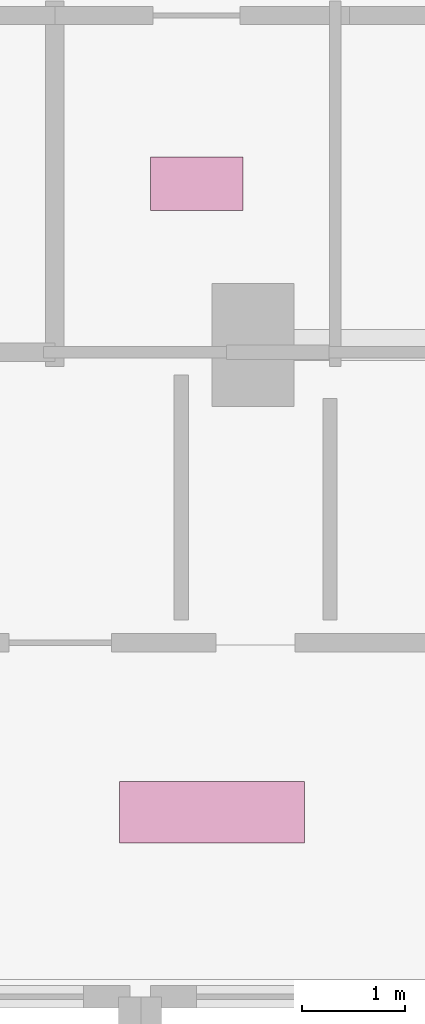
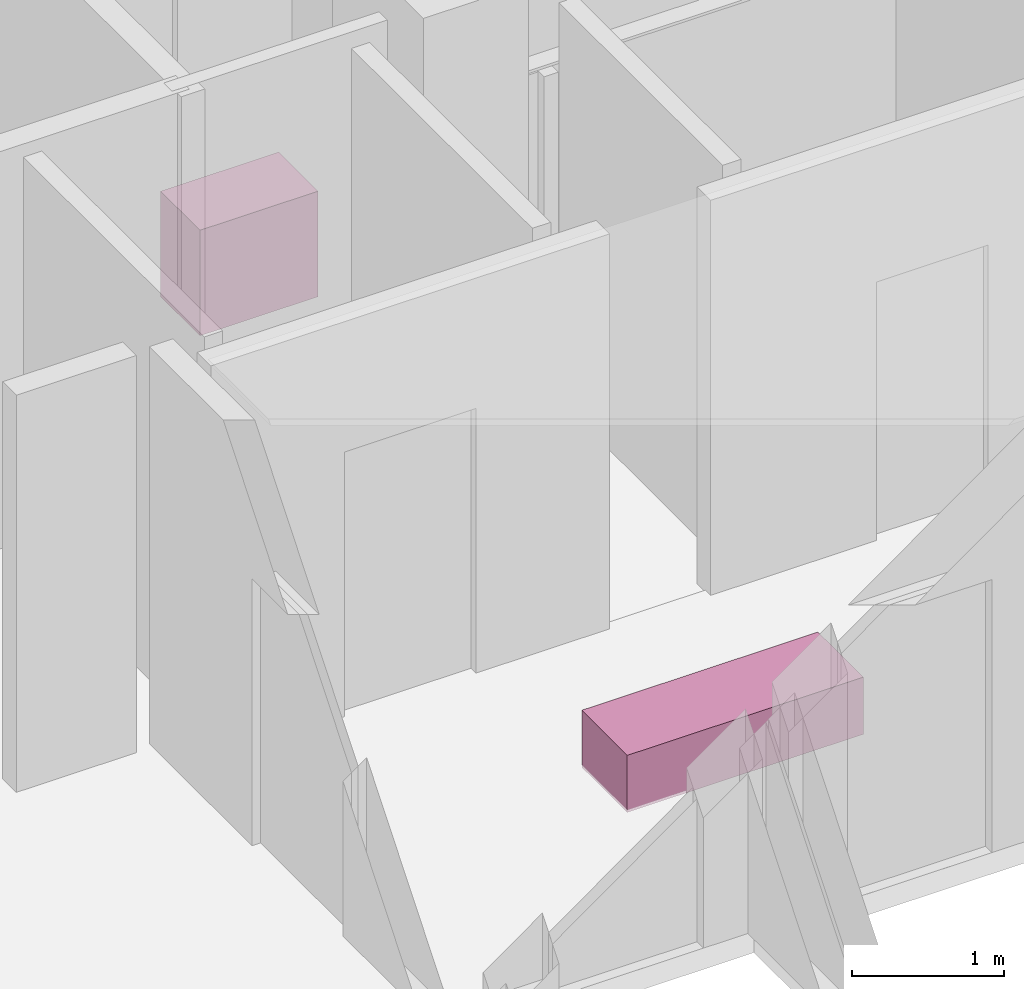
# One storey, part 29 of 29: 2 furnishings.
"""IFC4 building model written with IfcOpenShell, lengths in metres."""

import ifcopenshell
import ifcopenshell.guid

model = None  # the IFC model being written
_history = None  # IfcOwnerHistory: only IFC2X3 demands one
_inside = {}  # id of a spatial element -> (the spatial element, [elements in it])
_under = {}  # id of a project, library or spatial element -> (it, [spatial elements below it])
_declared = {}  # id of a project -> (the project, [libraries it declares])
_typed = {}  # id of a type object -> (the type object, [elements of that type])
_made_of = {}  # id of a material, layer set ... -> (it, [elements and type objects made of it])


def new_model(schema):
    """Start an empty IFC model of exactly this schema.

    Asked for "IFC4X3", IfcOpenShell would pick the latest addendum, in which some entities
    have other attributes; the version numbers below select the first issue.
    IFC2X3 requires an IfcOwnerHistory on every rooted entity: one is made here for all.
    """
    global model, _history
    if schema == "IFC4X3":
        model = ifcopenshell.file(schema_version=(4, 3, 0, 0))
    else:
        model = ifcopenshell.file(schema=schema)
    _inside.clear()
    _under.clear()
    _declared.clear()
    _typed.clear()
    _made_of.clear()
    _history = None
    if model.schema == "IFC2X3":
        org = make("IfcOrganization", Name="unknown")
        user = make(
            "IfcPersonAndOrganization",
            ThePerson=make("IfcPerson", FamilyName="unknown"),
            TheOrganization=org,
        )
        app = make(
            "IfcApplication",
            ApplicationDeveloper=org,
            Version="unknown",
            ApplicationFullName="unknown",
            ApplicationIdentifier="unknown",
        )
        _history = make(
            "IfcOwnerHistory",
            OwningUser=user,
            OwningApplication=app,
            ChangeAction="ADDED",
            CreationDate=0,
        )
    return model


def make(cls, **values):
    """One entity of the class cls with the attributes given. An attribute that is None is left unset."""
    return model.create_entity(
        cls, **{name: value for name, value in values.items() if value is not None}
    )


def rooted(cls, **values):
    """An entity with a GlobalId (a new one), such as an element, a storey or a relation."""
    return make(cls, GlobalId=ifcopenshell.guid.new(), OwnerHistory=_history, **values)


def si_unit(unit_type, name, prefix=None):
    """IfcSIUnit, for example si_unit("LENGTHUNIT", "METRE", prefix="MILLI")."""
    return make("IfcSIUnit", UnitType=unit_type, Prefix=prefix, Name=name)


def assignment(units):
    """IfcUnitAssignment: the units of a project."""
    return None if units is None else make("IfcUnitAssignment", Units=units)


def point(xyz):
    """IfcCartesianPoint."""
    return None if xyz is None else make("IfcCartesianPoint", Coordinates=xyz)


def direction(xyz):
    """IfcDirection."""
    return None if xyz is None else make("IfcDirection", DirectionRatios=xyz)


def frame(location, z_axis=None, x_axis=None):
    """IfcAxis2Placement3D, a coordinate frame: its origin and axes. An axis left out is left unset."""
    return make(
        "IfcAxis2Placement3D",
        Location=point(location),
        Axis=direction(z_axis),
        RefDirection=direction(x_axis),
    )


def frame_2d(location, x_axis=None):
    """IfcAxis2Placement2D, a coordinate frame in the plane: its origin and x axis."""
    return make(
        "IfcAxis2Placement2D", Location=point(location), RefDirection=direction(x_axis)
    )


def origin():
    """The frame at (0, 0, 0) with its axes left unset."""
    return frame((0.0, 0.0, 0.0))


def origin_2d():
    """The frame at (0, 0) in the plane with its x axis left unset."""
    return frame_2d((0.0, 0.0))


def place(relative_to, where):
    """IfcLocalPlacement: puts the frame where relative to a parent placement (None: the world)."""
    return make(
        "IfcLocalPlacement", PlacementRelTo=relative_to, RelativePlacement=where
    )


def context(
    kind, dimensions, precision=None, world=None, true_north=None, identifier=None
):
    """IfcGeometricRepresentationContext, for example the 3D "Model" context."""
    return make(
        "IfcGeometricRepresentationContext",
        ContextIdentifier=identifier,
        ContextType=kind,
        CoordinateSpaceDimension=dimensions,
        Precision=precision,
        WorldCoordinateSystem=world,
        TrueNorth=true_north,
    )


def subcontext(parent, identifier, kind, view, scale=None):
    """IfcGeometricRepresentationSubContext, for example "Body" below "Model"."""
    return make(
        "IfcGeometricRepresentationSubContext",
        ContextIdentifier=identifier,
        ContextType=kind,
        ParentContext=parent,
        TargetScale=scale,
        TargetView=view,
    )


def project(units=None, contexts=None):
    """IfcProject with its units and contexts."""
    return rooted(
        "IfcProject",
        Name="project",
        RepresentationContexts=contexts,
        UnitsInContext=assignment(units),
    )


def spatial(cls, under=None, at=None, **own):
    """A site, building, storey or space (cls), placed at a placement, below another one or the project."""
    s = rooted(cls, ObjectPlacement=at, **own)
    if under is not None:
        _under.setdefault(under.id(), (under, []))[1].append(s)
    return s


def profile(cls, at=None, kind="AREA", **sizes):
    """A parametric profile (cls). Its sizes go by their IFC names, for example OverallWidth=200.0."""
    return make(cls, ProfileType=kind, Position=at, **sizes)


def rectangle(**sizes):
    """IfcRectangleProfileDef."""
    return profile("IfcRectangleProfileDef", **sizes)


def extrude(swept, where, along, depth):
    """IfcExtrudedAreaSolid: the profile swept, set in the frame where, extruded along a direction by depth."""
    return make(
        "IfcExtrudedAreaSolid",
        SweptArea=swept,
        Position=where,
        ExtrudedDirection=direction(along),
        Depth=depth,
    )


def shape(context_of_items, identifier, shape_type, items):
    """IfcShapeRepresentation: the items that make up one representation, for example the "Body"."""
    return make(
        "IfcShapeRepresentation",
        ContextOfItems=context_of_items,
        RepresentationIdentifier=identifier,
        RepresentationType=shape_type,
        Items=items,
    )


def material(Name=None, Category=None):
    """IfcMaterial."""
    return make("IfcMaterial", Name=Name, Category=Category)


def made_of(thing, what):
    """Note that an element or type object is made of a material, layer set ...; save() writes the relation."""
    if what is not None:
        _made_of.setdefault(what.id(), (what, []))[1].append(thing)
    return thing


def type_object(cls, material=None, **own):
    """A type object (cls), such as IfcWallType, which elements share."""
    return made_of(rooted(cls, **own), material)


def element(
    cls,
    number,
    at=None,
    inside=None,
    cuts=None,
    type_object=None,
    material=None,
    context=None,
    identifier="Body",
    shape_type=None,
    held_by="IfcProductDefinitionShape",
    body=None,
    shapes=None,
    **own,
):
    """One element of the class cls, such as IfcWall. Its Tag is "e" and its number.

    at: its placement. inside: the storey or other place that contains it. cuts: it is an
    opening in that element (IfcRelVoidsElement). A single representation is given by context,
    identifier, shape_type and body (its items); several are given by shapes. held_by: the class
    of the entity that holds the representations. save() writes the other relations.
    """
    e = rooted(cls, Tag="e%d" % number, ObjectPlacement=at, **own)
    if body is not None:
        shapes = [shape(context, identifier, shape_type, body)]
    if shapes is not None:
        e.Representation = make(held_by, Representations=shapes)
    if inside is not None:
        _inside.setdefault(inside.id(), (inside, []))[1].append(e)
    if cuts is not None:
        rooted(
            "IfcRelVoidsElement", RelatingBuildingElement=cuts, RelatedOpeningElement=e
        )
    if type_object is not None:
        _typed.setdefault(type_object.id(), (type_object, []))[1].append(e)
    return made_of(e, material)


def aggregate(whole, parts):
    """IfcRelAggregates: a whole, such as a stair, and the parts it consists of."""
    return rooted("IfcRelAggregates", RelatingObject=whole, RelatedObjects=parts)


def save(model, path):
    """Write the relations noted so far, then the file.

    IfcRelAggregates (storeys below a building ...), IfcRelContainedInSpatialStructure (elements
    in a storey), IfcRelDefinesByType, IfcRelAssociatesMaterial and IfcRelDeclares: one each for
    every whole, place, type object, material and project.
    """
    for whole, parts in _under.values():
        aggregate(whole, parts)
    for where, things in _inside.values():
        rooted(
            "IfcRelContainedInSpatialStructure",
            RelatedElements=things,
            RelatingStructure=where,
        )
    for kind, things in _typed.values():
        rooted("IfcRelDefinesByType", RelatedObjects=things, RelatingType=kind)
    for what, things in _made_of.values():
        rooted("IfcRelAssociatesMaterial", RelatedObjects=things, RelatingMaterial=what)
    for by, libraries in _declared.values():
        rooted("IfcRelDeclares", RelatingContext=by, RelatedDefinitions=libraries)
    model.write(path)


model = new_model("IFC4")

# Units and contexts
model_context = context("Model", 3, precision=1e-05, world=origin(), true_north=direction((0.0, 1.0)))
body_context = subcontext(model_context, "Body", "Model", "MODEL_VIEW")
ifc_project = project(units=[si_unit("LENGTHUNIT", "METRE"), si_unit("AREAUNIT", "SQUARE_METRE"), si_unit("VOLUMEUNIT", "CUBIC_METRE"), si_unit("PLANEANGLEUNIT", "RADIAN"), si_unit("MASSUNIT", "GRAM", prefix="KILO")], contexts=[model_context])

# Site, building, storey
site_placement = place(None, origin())
site = spatial("IfcSite", under=ifc_project, at=site_placement, CompositionType="ELEMENT")
building_placement = place(site_placement, origin())
building = spatial("IfcBuilding", under=site, at=building_placement, Name="Vorneva Point Tower", CompositionType="ELEMENT")
storey_placement = place(building_placement, frame((0.0, 0.0, 171.10009765625)))
storey = spatial("IfcBuildingStorey", under=building, at=storey_placement, Name="L46", CompositionType="ELEMENT", Elevation=171.10009765625)

# Furnishings
ifc_material_1 = material(Name="Engineered oak fire-rated door leaf", Category="wood")
furniture_type_1 = type_object("IfcFurnitureType", Name="FUR-BNC-1800", AssemblyPlace="NOTDEFINED", PredefinedType="NOTDEFINED", material=ifc_material_1)
furnishing_1_placement = place(storey_placement, frame((35.0, 26.0, -0.005126953125), z_axis=(0.0, 0.0, 1.0), x_axis=(1.0, 0.0, 0.0)))
element("IfcFurnishingElement", 1, at=furnishing_1_placement, inside=storey, type_object=furniture_type_1, Name="L46 Lift Lobby Seating Bench", ObjectType="L46 Lift Lobby Seating Bench", context=body_context, shape_type="SweptSolid", body=[
    extrude(rectangle(XDim=1.800048828125, YDim=0.60009765625, at=origin_2d()), origin(), (0.0, 0.0, 1.0), 0.4599609375),
])
ifc_material_2 = material(Name="Vitreous china and granite top", Category="masonry")
furniture_type_2 = type_object("IfcFurnitureType", Name="FUR-VAN-900", AssemblyPlace="NOTDEFINED", PredefinedType="NOTDEFINED", material=ifc_material_2)
furnishing_2_placement = place(storey_placement, frame((34.85009765625, 32.1201171875, -0.005126953125), z_axis=(0.0, 0.0, 1.0), x_axis=(1.0, 0.0, 0.0)))
element("IfcFurnishingElement", 2, at=furnishing_2_placement, inside=storey, type_object=furniture_type_2, Name="L46 Public Male WC Vanity Unit", ObjectType="L46 Public Male WC Vanity Unit", context=body_context, shape_type="SweptSolid", body=[
    extrude(rectangle(XDim=0.89990234375, YDim=0.52001953125, at=origin_2d()), origin(), (0.0, 0.0, 1.0), 0.85009765625),
])

save(model, "model.ifc")
